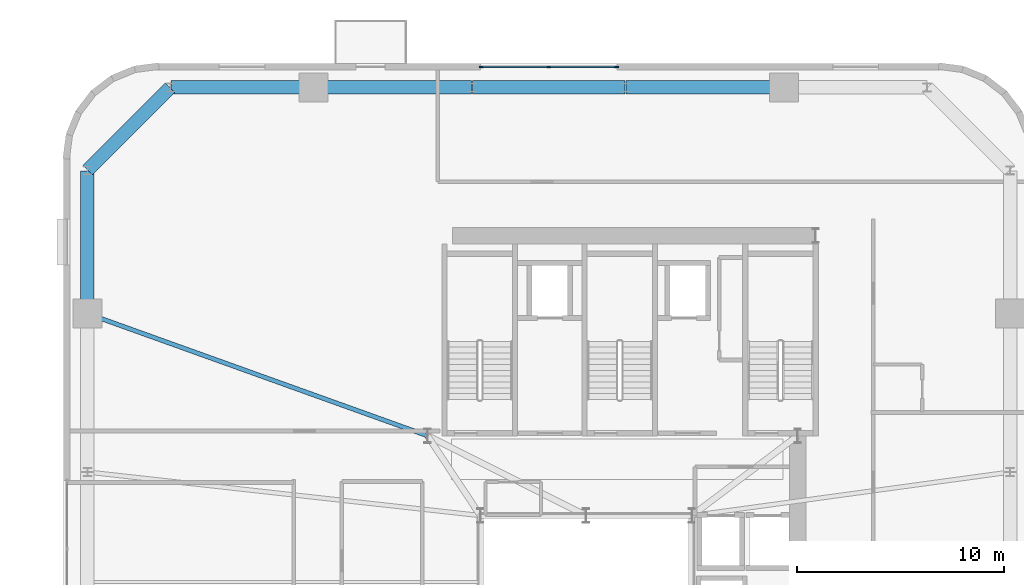
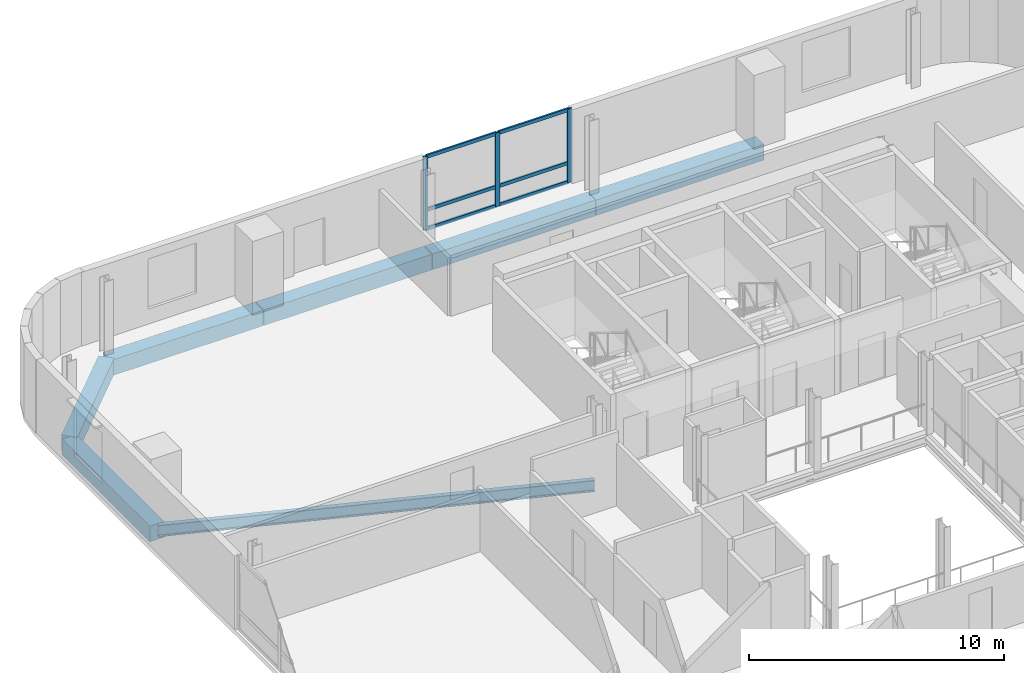
# One storey, part 6 of 16: 9 members, 7 beams, 1 element without a shape of its own.
"""IFC4 building model written with IfcOpenShell, lengths in metres."""

import ifcopenshell
import ifcopenshell.guid

model = None  # the IFC model being written
_history = None  # IfcOwnerHistory: only IFC2X3 demands one
_inside = {}  # id of a spatial element -> (the spatial element, [elements in it])
_under = {}  # id of a project, library or spatial element -> (it, [spatial elements below it])
_declared = {}  # id of a project -> (the project, [libraries it declares])
_typed = {}  # id of a type object -> (the type object, [elements of that type])
_made_of = {}  # id of a material, layer set ... -> (it, [elements and type objects made of it])


def new_model(schema):
    """Start an empty IFC model of exactly this schema.

    Asked for "IFC4X3", IfcOpenShell would pick the latest addendum, in which some entities
    have other attributes; the version numbers below select the first issue.
    IFC2X3 requires an IfcOwnerHistory on every rooted entity: one is made here for all.
    """
    global model, _history
    if schema == "IFC4X3":
        model = ifcopenshell.file(schema_version=(4, 3, 0, 0))
    else:
        model = ifcopenshell.file(schema=schema)
    _inside.clear()
    _under.clear()
    _declared.clear()
    _typed.clear()
    _made_of.clear()
    _history = None
    if model.schema == "IFC2X3":
        org = make("IfcOrganization", Name="unknown")
        user = make(
            "IfcPersonAndOrganization",
            ThePerson=make("IfcPerson", FamilyName="unknown"),
            TheOrganization=org,
        )
        app = make(
            "IfcApplication",
            ApplicationDeveloper=org,
            Version="unknown",
            ApplicationFullName="unknown",
            ApplicationIdentifier="unknown",
        )
        _history = make(
            "IfcOwnerHistory",
            OwningUser=user,
            OwningApplication=app,
            ChangeAction="ADDED",
            CreationDate=0,
        )
    return model


def make(cls, **values):
    """One entity of the class cls with the attributes given. An attribute that is None is left unset."""
    return model.create_entity(
        cls, **{name: value for name, value in values.items() if value is not None}
    )


def rooted(cls, **values):
    """An entity with a GlobalId (a new one), such as an element, a storey or a relation."""
    return make(cls, GlobalId=ifcopenshell.guid.new(), OwnerHistory=_history, **values)


def si_unit(unit_type, name, prefix=None):
    """IfcSIUnit, for example si_unit("LENGTHUNIT", "METRE", prefix="MILLI")."""
    return make("IfcSIUnit", UnitType=unit_type, Prefix=prefix, Name=name)


def assignment(units):
    """IfcUnitAssignment: the units of a project."""
    return None if units is None else make("IfcUnitAssignment", Units=units)


def point(xyz):
    """IfcCartesianPoint."""
    return None if xyz is None else make("IfcCartesianPoint", Coordinates=xyz)


def direction(xyz):
    """IfcDirection."""
    return None if xyz is None else make("IfcDirection", DirectionRatios=xyz)


def frame(location, z_axis=None, x_axis=None):
    """IfcAxis2Placement3D, a coordinate frame: its origin and axes. An axis left out is left unset."""
    return make(
        "IfcAxis2Placement3D",
        Location=point(location),
        Axis=direction(z_axis),
        RefDirection=direction(x_axis),
    )


def frame_2d(location, x_axis=None):
    """IfcAxis2Placement2D, a coordinate frame in the plane: its origin and x axis."""
    return make(
        "IfcAxis2Placement2D", Location=point(location), RefDirection=direction(x_axis)
    )


def origin():
    """The frame at (0, 0, 0) with its axes left unset."""
    return frame((0.0, 0.0, 0.0))


def origin_2d():
    """The frame at (0, 0) in the plane with its x axis left unset."""
    return frame_2d((0.0, 0.0))


def place(relative_to, where):
    """IfcLocalPlacement: puts the frame where relative to a parent placement (None: the world)."""
    return make(
        "IfcLocalPlacement", PlacementRelTo=relative_to, RelativePlacement=where
    )


def context(
    kind, dimensions, precision=None, world=None, true_north=None, identifier=None
):
    """IfcGeometricRepresentationContext, for example the 3D "Model" context."""
    return make(
        "IfcGeometricRepresentationContext",
        ContextIdentifier=identifier,
        ContextType=kind,
        CoordinateSpaceDimension=dimensions,
        Precision=precision,
        WorldCoordinateSystem=world,
        TrueNorth=true_north,
    )


def subcontext(parent, identifier, kind, view, scale=None):
    """IfcGeometricRepresentationSubContext, for example "Body" below "Model"."""
    return make(
        "IfcGeometricRepresentationSubContext",
        ContextIdentifier=identifier,
        ContextType=kind,
        ParentContext=parent,
        TargetScale=scale,
        TargetView=view,
    )


def project(units=None, contexts=None):
    """IfcProject with its units and contexts."""
    return rooted(
        "IfcProject",
        Name="project",
        RepresentationContexts=contexts,
        UnitsInContext=assignment(units),
    )


def spatial(cls, under=None, at=None, **own):
    """A site, building, storey or space (cls), placed at a placement, below another one or the project."""
    s = rooted(cls, ObjectPlacement=at, **own)
    if under is not None:
        _under.setdefault(under.id(), (under, []))[1].append(s)
    return s


def profile(cls, at=None, kind="AREA", **sizes):
    """A parametric profile (cls). Its sizes go by their IFC names, for example OverallWidth=200.0."""
    return make(cls, ProfileType=kind, Position=at, **sizes)


def rectangle(**sizes):
    """IfcRectangleProfileDef."""
    return profile("IfcRectangleProfileDef", **sizes)


def i_section(**sizes):
    """IfcIShapeProfileDef."""
    return profile("IfcIShapeProfileDef", **sizes)


def extrude(swept, where, along, depth):
    """IfcExtrudedAreaSolid: the profile swept, set in the frame where, extruded along a direction by depth."""
    return make(
        "IfcExtrudedAreaSolid",
        SweptArea=swept,
        Position=where,
        ExtrudedDirection=direction(along),
        Depth=depth,
    )


def shape(context_of_items, identifier, shape_type, items):
    """IfcShapeRepresentation: the items that make up one representation, for example the "Body"."""
    return make(
        "IfcShapeRepresentation",
        ContextOfItems=context_of_items,
        RepresentationIdentifier=identifier,
        RepresentationType=shape_type,
        Items=items,
    )


def source(mapping_origin, context_of_items, identifier, shape_type, items):
    """IfcRepresentationMap: a shape defined once, which mapped items show again and again."""
    return make(
        "IfcRepresentationMap",
        MappingOrigin=mapping_origin,
        MappedRepresentation=shape(context_of_items, identifier, shape_type, items),
    )


def transform(
    local_origin,
    x_axis=None,
    y_axis=None,
    z_axis=None,
    scale=None,
    scale2=None,
    scale3=None,
    uniform=True,
):
    """IfcCartesianTransformationOperator3D, or its non-uniform kind. x_axis, y_axis, z_axis: its Axis1, 2, 3."""
    if uniform:
        return make(
            "IfcCartesianTransformationOperator3D",
            Axis1=direction(x_axis),
            Axis2=direction(y_axis),
            LocalOrigin=point(local_origin),
            Scale=scale,
            Axis3=direction(z_axis),
        )
    return make(
        "IfcCartesianTransformationOperator3DnonUniform",
        Axis1=direction(x_axis),
        Axis2=direction(y_axis),
        LocalOrigin=point(local_origin),
        Scale=scale,
        Axis3=direction(z_axis),
        Scale2=scale2,
        Scale3=scale3,
    )


def mapped(mapping_source, mapping_target):
    """IfcMappedItem: shows the shape of a source again, moved by a transform."""
    return make(
        "IfcMappedItem", MappingSource=mapping_source, MappingTarget=mapping_target
    )


def material(Name=None, Category=None):
    """IfcMaterial."""
    return make("IfcMaterial", Name=Name, Category=Category)


def material_profile(
    of_material, cross_section, Name=None, Category=None, Priority=None
):
    """IfcMaterialProfile: a cross section and its material."""
    return make(
        "IfcMaterialProfile",
        Name=Name,
        Material=of_material,
        Profile=cross_section,
        Priority=Priority,
        Category=Category,
    )


def profile_set(profiles, Name=None, composite=None):
    """IfcMaterialProfileSet."""
    return make(
        "IfcMaterialProfileSet",
        Name=Name,
        MaterialProfiles=profiles,
        CompositeProfile=composite,
    )


def made_of(thing, what):
    """Note that an element or type object is made of a material, layer set ...; save() writes the relation."""
    if what is not None:
        _made_of.setdefault(what.id(), (what, []))[1].append(thing)
    return thing


def type_object(cls, material=None, **own):
    """A type object (cls), such as IfcWallType, which elements share."""
    return made_of(rooted(cls, **own), material)


def element(
    cls,
    number,
    at=None,
    inside=None,
    cuts=None,
    type_object=None,
    material=None,
    context=None,
    identifier="Body",
    shape_type=None,
    held_by="IfcProductDefinitionShape",
    body=None,
    shapes=None,
    **own,
):
    """One element of the class cls, such as IfcWall. Its Tag is "e" and its number.

    at: its placement. inside: the storey or other place that contains it. cuts: it is an
    opening in that element (IfcRelVoidsElement). A single representation is given by context,
    identifier, shape_type and body (its items); several are given by shapes. held_by: the class
    of the entity that holds the representations. save() writes the other relations.
    """
    e = rooted(cls, Tag="e%d" % number, ObjectPlacement=at, **own)
    if body is not None:
        shapes = [shape(context, identifier, shape_type, body)]
    if shapes is not None:
        e.Representation = make(held_by, Representations=shapes)
    if inside is not None:
        _inside.setdefault(inside.id(), (inside, []))[1].append(e)
    if cuts is not None:
        rooted(
            "IfcRelVoidsElement", RelatingBuildingElement=cuts, RelatedOpeningElement=e
        )
    if type_object is not None:
        _typed.setdefault(type_object.id(), (type_object, []))[1].append(e)
    return made_of(e, material)


def aggregate(whole, parts):
    """IfcRelAggregates: a whole, such as a stair, and the parts it consists of."""
    return rooted("IfcRelAggregates", RelatingObject=whole, RelatedObjects=parts)


def save(model, path):
    """Write the relations noted so far, then the file.

    IfcRelAggregates (storeys below a building ...), IfcRelContainedInSpatialStructure (elements
    in a storey), IfcRelDefinesByType, IfcRelAssociatesMaterial and IfcRelDeclares: one each for
    every whole, place, type object, material and project.
    """
    for whole, parts in _under.values():
        aggregate(whole, parts)
    for where, things in _inside.values():
        rooted(
            "IfcRelContainedInSpatialStructure",
            RelatedElements=things,
            RelatingStructure=where,
        )
    for kind, things in _typed.values():
        rooted("IfcRelDefinesByType", RelatedObjects=things, RelatingType=kind)
    for what, things in _made_of.values():
        rooted("IfcRelAssociatesMaterial", RelatedObjects=things, RelatingMaterial=what)
    for by, libraries in _declared.values():
        rooted("IfcRelDeclares", RelatingContext=by, RelatedDefinitions=libraries)
    model.write(path)


model = new_model("IFC4")

# Units and contexts
model_context = context("Model", 3, precision=1e-05, world=origin(), true_north=direction((0.0, 1.0)))
body_context = subcontext(model_context, "Body", "Model", "MODEL_VIEW")
ifc_project = project(units=[si_unit("LENGTHUNIT", "METRE"), si_unit("AREAUNIT", "SQUARE_METRE"), si_unit("VOLUMEUNIT", "CUBIC_METRE"), si_unit("PLANEANGLEUNIT", "RADIAN"), si_unit("MASSUNIT", "GRAM", prefix="KILO")], contexts=[model_context])

# Site, building, storey
site_placement = place(None, origin())
site = spatial("IfcSite", under=ifc_project, at=site_placement, CompositionType="ELEMENT")
building_placement = place(site_placement, origin())
building = spatial("IfcBuilding", under=site, at=building_placement, Name="Vardaveli Station Tower", CompositionType="ELEMENT")
storey_placement = place(building_placement, frame((0.0, 0.0, 192.300048828125)))
storey = spatial("IfcBuildingStorey", under=building, at=storey_placement, Name="L49", CompositionType="ELEMENT", Elevation=192.300048828125)

# Beams
ifc_material_1 = material(Name="Precast concrete C45/55", Category="concrete")
ifc_material_profile_1 = material_profile(ifc_material_1, rectangle(XDim=0.64990234375, YDim=0.75, at=origin_2d()), Name="LPB 650x750")
ifc_profile_set_1 = profile_set([ifc_material_profile_1], Name="Precast concrete C45/55")
beam_type_1 = type_object("IfcBeamType", Name="BM-LPB-750", PredefinedType="BEAM", material=ifc_profile_set_1)
shared_shape_1 = source(origin(), body_context, "Body", "SweptSolid", [
    extrude(rectangle(XDim=0.64990234375, YDim=0.75, at=origin_2d()), origin(), (0.0, 0.0, 1.0), 7.60009765625),
])
for number, where, z_axis, x_axis, name in (
    (1, (45.820068359375, 47.449951171875, -0.594970703125), (-1.0, 0.0, 0.0), (0.0, -1.0, 0.0), "RBM-L49-13"),
    (2, (30.780029296875, 47.449951171875, -0.594970703125), (-1.0, 0.0, 0.0), (0.0, -1.0, 0.0), "RBM-L49-15"),
):
    element("IfcBeam", number, at=place(storey_placement, frame(where, z_axis=z_axis, x_axis=x_axis)), inside=storey, type_object=beam_type_1, Name=name, PredefinedType="BEAM", context=body_context, shape_type="MappedRepresentation", body=[
        mapped(shared_shape_1, transform((0.0, 0.0, 0.0), scale=1.0)),
    ])
shared_shape_2 = source(origin(), body_context, "Body", "SweptSolid", [
    extrude(rectangle(XDim=0.64990234375, YDim=0.75, at=origin_2d()), origin(), (0.0, 0.0, 1.0), 7.35986328125),
])
beam_1_placement = place(storey_placement, frame((38.179931640625, 47.449951171875, -0.594970703125), z_axis=(-1.0, 0.0, 0.0), x_axis=(0.0, -1.0, 0.0)))
element("IfcBeam", 3, at=beam_1_placement, inside=storey, type_object=beam_type_1, Name="RBM-L49-14", PredefinedType="BEAM", context=body_context, shape_type="MappedRepresentation", body=[
    mapped(shared_shape_2, transform((0.0, 0.0, 0.0), scale=1.0)),
])
shared_shape_3 = source(origin(), body_context, "Body", "SweptSolid", [
    extrude(rectangle(XDim=0.64990234375, YDim=0.75, at=origin_2d()), origin(), (0.0, 0.0, 1.0), 6.869873046875),
])
for number, where, z_axis, x_axis, name in (
    (4, (23.139892578125, 47.449951171875, -0.594970703125), (-1.0, 0.0, 0.0), (0.0, -1.0, 0.0), "RBM-L49-16"),
    (5, (12.25, 43.429931640625, -0.594970703125), (0.0, -1.0, 0.0), (1.0, 0.0, 0.0), "RBM-L49-18"),
):
    element("IfcBeam", number, at=place(storey_placement, frame(where, z_axis=z_axis, x_axis=x_axis)), inside=storey, type_object=beam_type_1, Name=name, PredefinedType="BEAM", context=body_context, shape_type="MappedRepresentation", body=[
        mapped(shared_shape_3, transform((0.0, 0.0, 0.0), scale=1.0)),
    ])
shared_shape_4 = source(origin(), body_context, "Body", "SweptSolid", [
    extrude(rectangle(XDim=0.64990234375, YDim=0.75, at=origin_2d()), origin(), (0.0, 0.0, 1.0), 5.61669921875),
])
beam_2_placement = place(storey_placement, frame((16.23583984375, 47.435791015625, -0.594970703125), z_axis=(-0.707106781187, -0.707106781187, 0.0), x_axis=(0.707106781187, -0.707106781187, 0.0)))
element("IfcBeam", 6, at=beam_2_placement, inside=storey, type_object=beam_type_1, Name="RBM-L49-17", PredefinedType="BEAM", context=body_context, shape_type="MappedRepresentation", body=[
    mapped(shared_shape_4, transform((0.0, 0.0, 0.0), scale=1.0)),
])
ifc_material_2 = material(Name="Structural steel S355J2", Category="steel")
ifc_material_profile_2 = material_profile(ifc_material_2, i_section(OverallWidth=0.2099609375, OverallDepth=0.550048828125, WebThickness=0.010986328125, FlangeThickness=0.01708984375, FilletRadius=0.02392578125, at=origin_2d()), Name="IPE 550")
ifc_profile_set_2 = profile_set([ifc_material_profile_2], Name="Structural steel S355J2")
beam_type_2 = type_object("IfcBeamType", Name="BM-IPE550", PredefinedType="BEAM", material=ifc_profile_set_2)
shared_shape_5 = source(origin(), body_context, "Body", "SweptSolid", [
    extrude(i_section(OverallWidth=0.2099609375, OverallDepth=0.550048828125, WebThickness=0.010986328125, FlangeThickness=0.01708984375, FilletRadius=0.02392578125, at=origin_2d()), origin(), (0.0, 0.0, 1.0), 17.385498046875),
])
beam_3_placement = place(storey_placement, frame((12.268798828125, 36.533203125, -0.4951171875), z_axis=(0.941143134401, -0.338008284766, 0.0), x_axis=(0.338008284766, 0.941143134401, 0.0)))
element("IfcBeam", 7, at=beam_3_placement, inside=storey, type_object=beam_type_2, Name="GBM-L49-12", PredefinedType="BEAM", context=body_context, shape_type="MappedRepresentation", body=[
    mapped(shared_shape_5, transform((0.0, 0.0, 0.0), scale=1.0)),
])

# Curtain wall, members
ifc_material_3 = material(Name="Travertine stone and solar-control glass", Category="masonry")
curtain_wall_type = type_object("IfcCurtainWallType", Name="CW-SYS-5", PredefinedType="NOTDEFINED", material=ifc_material_3)
curtain_wall_placement = place(storey_placement, origin())
curtain_wall = element("IfcCurtainWall", 8, at=curtain_wall_placement, inside=storey, type_object=curtain_wall_type, Name="CW-L49-N", PredefinedType="NOTDEFINED")
ifc_material_4 = material(Name="Anodised aluminium alloy 6063-T6", Category="aluminium")
ifc_material_profile_3 = material_profile(ifc_material_4, rectangle(XDim=0.080078125, YDim=0.1650390625, at=origin_2d()), Name="CWT 80x165")
ifc_profile_set_3 = profile_set([ifc_material_profile_3], Name="Anodised aluminium alloy 6063-T6")
member_type_1 = type_object("IfcMemberType", Name="CW-SYS-5-TRAN", PredefinedType="NOTDEFINED", material=ifc_profile_set_3)
shared_shape_6 = source(origin(), body_context, "Body", "SweptSolid", [
    extrude(rectangle(XDim=0.080078125, YDim=0.1650390625, at=origin_2d()), origin(), (0.0, 0.0, 1.0), 3.179931640625),
])
member_1_placement = place(storey_placement, frame((37.719970703125, 48.43994140625, 0.0400390625), z_axis=(-1.0, 0.0, 0.0), x_axis=(0.0, -1.0, 0.0)))
member_1 = element("IfcMember", 9, at=member_1_placement, type_object=member_type_1, Name="CW-5 transom 1.1", ObjectType="TRANSOM", PredefinedType="USERDEFINED", context=body_context, shape_type="MappedRepresentation", body=[
    mapped(shared_shape_6, transform((0.0, 0.0, 0.0), scale=1.0)),
])
member_2_placement = place(storey_placement, frame((37.719970703125, 48.43994140625, 0.949951171875), z_axis=(-1.0, 0.0, 0.0), x_axis=(0.0, -1.0, 0.0)))
member_2 = element("IfcMember", 10, at=member_2_placement, type_object=member_type_1, Name="CW-5 transom 1.2", ObjectType="TRANSOM", PredefinedType="USERDEFINED", context=body_context, shape_type="MappedRepresentation", body=[
    mapped(shared_shape_6, transform((0.0, 0.0, 0.0), scale=1.0)),
])
member_3_placement = place(storey_placement, frame((37.719970703125, 48.43994140625, 3.489990234375), z_axis=(-1.0, 0.0, 0.0), x_axis=(0.0, -1.0, 0.0)))
member_3 = element("IfcMember", 11, at=member_3_placement, type_object=member_type_1, Name="CW-5 transom 1.3", ObjectType="TRANSOM", PredefinedType="USERDEFINED", context=body_context, shape_type="MappedRepresentation", body=[
    mapped(shared_shape_6, transform((0.0, 0.0, 0.0), scale=1.0)),
])
member_4_placement = place(storey_placement, frame((34.4599609375, 48.43994140625, 0.0400390625), z_axis=(-1.0, 0.0, 0.0), x_axis=(0.0, -1.0, 0.0)))
member_4 = element("IfcMember", 12, at=member_4_placement, type_object=member_type_1, Name="CW-5 transom 2.1", ObjectType="TRANSOM", PredefinedType="USERDEFINED", context=body_context, shape_type="MappedRepresentation", body=[
    mapped(shared_shape_6, transform((0.0, 0.0, 0.0), scale=1.0)),
])
member_5_placement = place(storey_placement, frame((34.4599609375, 48.43994140625, 0.949951171875), z_axis=(-1.0, 0.0, 0.0), x_axis=(0.0, -1.0, 0.0)))
member_5 = element("IfcMember", 13, at=member_5_placement, type_object=member_type_1, Name="CW-5 transom 2.2", ObjectType="TRANSOM", PredefinedType="USERDEFINED", context=body_context, shape_type="MappedRepresentation", body=[
    mapped(shared_shape_6, transform((0.0, 0.0, 0.0), scale=1.0)),
])
member_6_placement = place(storey_placement, frame((34.4599609375, 48.43994140625, 3.489990234375), z_axis=(-1.0, 0.0, 0.0), x_axis=(0.0, -1.0, 0.0)))
member_6 = element("IfcMember", 14, at=member_6_placement, type_object=member_type_1, Name="CW-5 transom 2.3", ObjectType="TRANSOM", PredefinedType="USERDEFINED", context=body_context, shape_type="MappedRepresentation", body=[
    mapped(shared_shape_6, transform((0.0, 0.0, 0.0), scale=1.0)),
])
ifc_material_profile_4 = material_profile(ifc_material_4, rectangle(XDim=0.080078125, YDim=0.205078125, at=origin_2d()), Name="CWM 80x205")
ifc_profile_set_4 = profile_set([ifc_material_profile_4], Name="Anodised aluminium alloy 6063-T6")
member_type_2 = type_object("IfcMemberType", Name="CW-SYS-5-MULL", PredefinedType="MULLION", material=ifc_profile_set_4)
shared_shape_7 = source(origin(), body_context, "Body", "SweptSolid", [
    extrude(rectangle(XDim=0.080078125, YDim=0.205078125, at=origin_2d()), origin(), (0.0, 0.0, 1.0), 3.530029296875),
])
member_7_placement = place(storey_placement, frame((37.760009765625, 48.43994140625, 0.0), z_axis=(0.0, 0.0, 1.0), x_axis=(0.0, -1.0, 0.0)))
member_7 = element("IfcMember", 15, at=member_7_placement, type_object=member_type_2, Name="CW-5 mullion 1", PredefinedType="MULLION", context=body_context, shape_type="MappedRepresentation", body=[
    mapped(shared_shape_7, transform((0.0, 0.0, 0.0), scale=1.0)),
])
member_8_placement = place(storey_placement, frame((34.5, 48.43994140625, 0.0), z_axis=(0.0, 0.0, 1.0), x_axis=(0.0, -1.0, 0.0)))
member_8 = element("IfcMember", 16, at=member_8_placement, type_object=member_type_2, Name="CW-5 mullion 2", PredefinedType="MULLION", context=body_context, shape_type="MappedRepresentation", body=[
    mapped(shared_shape_7, transform((0.0, 0.0, 0.0), scale=1.0)),
])
member_9_placement = place(storey_placement, frame((31.239990234375, 48.43994140625, 0.0), z_axis=(0.0, 0.0, 1.0), x_axis=(0.0, -1.0, 0.0)))
member_9 = element("IfcMember", 17, at=member_9_placement, type_object=member_type_2, Name="CW-5 mullion 3", PredefinedType="MULLION", context=body_context, shape_type="MappedRepresentation", body=[
    mapped(shared_shape_7, transform((0.0, 0.0, 0.0), scale=1.0)),
])
aggregate(curtain_wall, [member_7, member_8, member_9, member_1, member_2, member_3, member_4, member_5, member_6])

save(model, "model.ifc")
